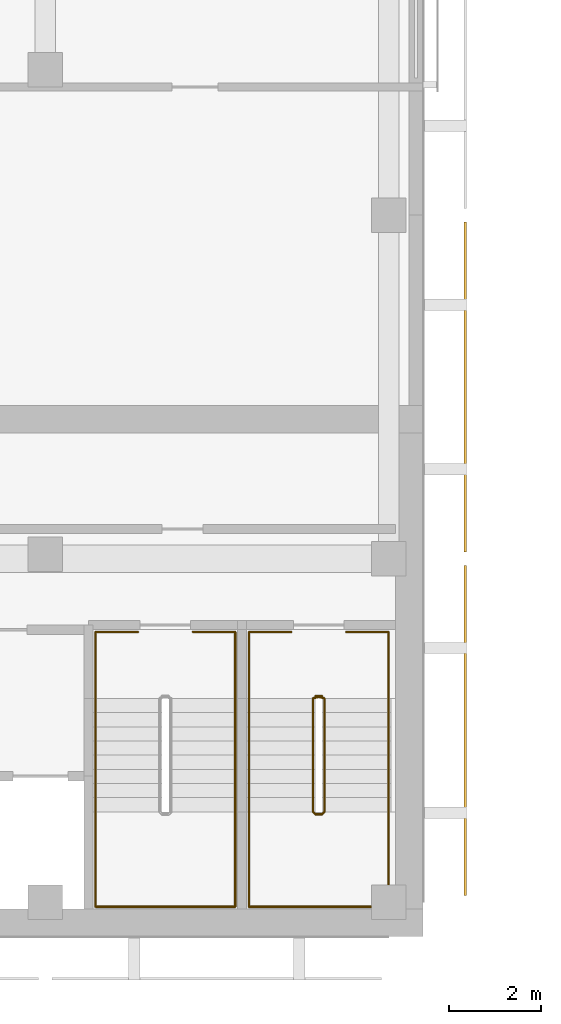
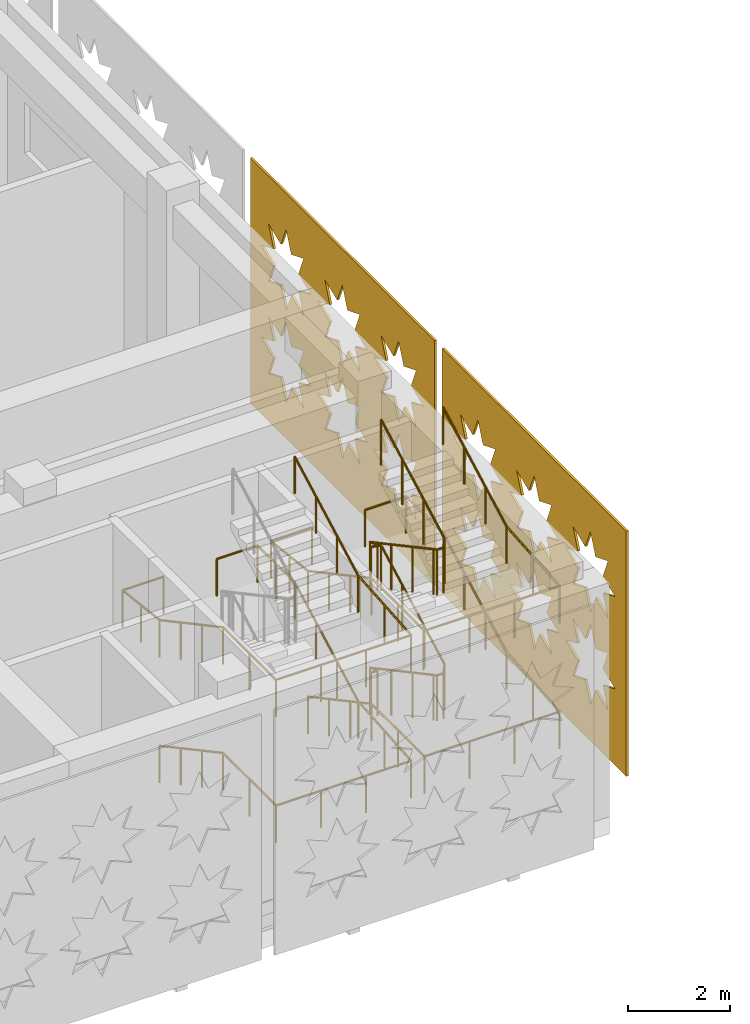
# One storey, part 31 of 46: 5 railings, 2 coverings.
"""IFC4 building model written with IfcOpenShell, lengths in metres."""

from ifc_helpers import new_model, si_unit, direction, frame, origin, origin_2d, place, context, subcontext, project, spatial, polyline, circle, outline, extrude, material, layer, layer_set, type_object, element, save


model = new_model("IFC4")

# Units and contexts
model_context = context("Model", 3, precision=1e-05, world=origin(), true_north=direction((0.0, 1.0)))
body_context = subcontext(model_context, "Body", "Model", "MODEL_VIEW")
ifc_project = project(units=[si_unit("LENGTHUNIT", "METRE"), si_unit("AREAUNIT", "SQUARE_METRE"), si_unit("VOLUMEUNIT", "CUBIC_METRE"), si_unit("PLANEANGLEUNIT", "RADIAN"), si_unit("MASSUNIT", "GRAM", prefix="KILO")], contexts=[model_context])

# Site, building, storey
site_placement = place(None, origin())
site = spatial("IfcSite", under=ifc_project, at=site_placement, CompositionType="ELEMENT")
building_placement = place(site_placement, origin())
building = spatial("IfcBuilding", under=site, at=building_placement, Name="Tessera Arch", CompositionType="ELEMENT")
storey_placement = place(building_placement, frame((0.0, 0.0, 8.0)))
storey = spatial("IfcBuildingStorey", under=building, at=storey_placement, Name="L01", CompositionType="ELEMENT", Elevation=8.0)

# Coverings
ifc_material_1 = material(Name="Anodised aluminium pale metal", Category="aluminium")
ifc_layer = layer(ifc_material_1, 0.050048828125)
ifc_layer_set = layer_set([ifc_layer], Name="Museum lattice skin panel")
covering_type = type_object("IfcCoveringType", Name="Museum lattice skin panel", PredefinedType="CLADDING", material=ifc_layer_set)
covering_1_placement = place(storey_placement, frame((14.85009765625, -31.64990234375, 5.949951171875), z_axis=(-1.0, 0.0, 0.0), x_axis=(0.0, 1.0, 0.0)))
element("IfcCovering", 1, at=covering_1_placement, inside=storey, type_object=covering_type, Name="Museum lattice skin L01 2-2", PredefinedType="CLADDING", context=body_context, shape_type="SweptSolid", body=[
    extrude(outline(polyline([(0.0, 0.0), (7.199951171875, 0.0), (7.199951171875, 5.849853515625), (0.0, 5.849853515625), (0.0, 0.0)]), holes=[polyline([(2.367919921875, 4.02490234375), (1.887939453125, 3.822998046875), (2.083984375, 3.341064453125), (1.601806640625, 3.536865234375), (1.39990234375, 3.056884765625), (1.197998046875, 3.536865234375), (0.7158203125, 3.341064453125), (0.911865234375, 3.822998046875), (0.431884765625, 4.02490234375), (0.911865234375, 4.22705078125), (0.7158203125, 4.708984375), (1.197998046875, 4.512939453125), (1.39990234375, 4.992919921875), (1.601806640625, 4.512939453125), (2.083984375, 4.708984375), (1.887939453125, 4.22705078125), (2.367919921875, 4.02490234375)]), polyline([(2.367919921875, 1.824951171875), (1.887939453125, 1.623046875), (2.083984375, 1.140869140625), (1.601806640625, 1.3369140625), (1.39990234375, 0.85693359375), (1.197998046875, 1.3369140625), (0.7158203125, 1.140869140625), (0.911865234375, 1.623046875), (0.431884765625, 1.824951171875), (0.911865234375, 2.02685546875), (0.7158203125, 2.509033203125), (1.197998046875, 2.31298828125), (1.39990234375, 2.79296875), (1.601806640625, 2.31298828125), (2.083984375, 2.509033203125), (1.887939453125, 2.02685546875), (2.367919921875, 1.824951171875)]), polyline([(4.56787109375, 4.02490234375), (4.087890625, 3.822998046875), (4.283935546875, 3.341064453125), (3.802001953125, 3.536865234375), (3.599853515625, 3.056884765625), (3.39794921875, 3.536865234375), (2.916015625, 3.341064453125), (3.11181640625, 3.822998046875), (2.6318359375, 4.02490234375), (3.11181640625, 4.22705078125), (2.916015625, 4.708984375), (3.39794921875, 4.512939453125), (3.599853515625, 4.992919921875), (3.802001953125, 4.512939453125), (4.283935546875, 4.708984375), (4.087890625, 4.22705078125), (4.56787109375, 4.02490234375)]), polyline([(4.56787109375, 1.824951171875), (4.087890625, 1.623046875), (4.283935546875, 1.140869140625), (3.802001953125, 1.3369140625), (3.599853515625, 0.85693359375), (3.39794921875, 1.3369140625), (2.916015625, 1.140869140625), (3.11181640625, 1.623046875), (2.6318359375, 1.824951171875), (3.11181640625, 2.02685546875), (2.916015625, 2.509033203125), (3.39794921875, 2.31298828125), (3.599853515625, 2.79296875), (3.802001953125, 2.31298828125), (4.283935546875, 2.509033203125), (4.087890625, 2.02685546875), (4.56787109375, 1.824951171875)]), polyline([(6.767822265625, 4.02490234375), (6.287841796875, 3.822998046875), (6.48388671875, 3.341064453125), (6.001953125, 3.536865234375), (5.7998046875, 3.056884765625), (5.597900390625, 3.536865234375), (5.115966796875, 3.341064453125), (5.31201171875, 3.822998046875), (4.831787109375, 4.02490234375), (5.31201171875, 4.22705078125), (5.115966796875, 4.708984375), (5.597900390625, 4.512939453125), (5.7998046875, 4.992919921875), (6.001953125, 4.512939453125), (6.48388671875, 4.708984375), (6.287841796875, 4.22705078125), (6.767822265625, 4.02490234375)]), polyline([(6.767822265625, 1.824951171875), (6.287841796875, 1.623046875), (6.48388671875, 1.140869140625), (6.001953125, 1.3369140625), (5.7998046875, 0.85693359375), (5.597900390625, 1.3369140625), (5.115966796875, 1.140869140625), (5.31201171875, 1.623046875), (4.831787109375, 1.824951171875), (5.31201171875, 2.02685546875), (5.115966796875, 2.509033203125), (5.597900390625, 2.31298828125), (5.7998046875, 2.79296875), (6.001953125, 2.31298828125), (6.48388671875, 2.509033203125), (6.287841796875, 2.02685546875), (6.767822265625, 1.824951171875)])]), origin(), (0.0, 0.0, -1.0), 0.050048828125),
])
covering_2_placement = place(storey_placement, frame((14.85009765625, -24.14990234375, 5.949951171875), z_axis=(-1.0, 0.0, 0.0), x_axis=(0.0, 1.0, 0.0)))
element("IfcCovering", 2, at=covering_2_placement, inside=storey, type_object=covering_type, Name="Museum lattice skin L01 2-3", PredefinedType="CLADDING", context=body_context, shape_type="SweptSolid", body=[
    extrude(outline(polyline([(0.0, 0.0), (7.199951171875, 0.0), (7.199951171875, 5.849853515625), (0.0, 5.849853515625), (0.0, 0.0)]), holes=[polyline([(2.367919921875, 4.02490234375), (1.887939453125, 3.822998046875), (2.083984375, 3.341064453125), (1.601806640625, 3.536865234375), (1.39990234375, 3.056884765625), (1.197998046875, 3.536865234375), (0.7158203125, 3.341064453125), (0.911865234375, 3.822998046875), (0.431884765625, 4.02490234375), (0.911865234375, 4.22705078125), (0.7158203125, 4.708984375), (1.197998046875, 4.512939453125), (1.39990234375, 4.992919921875), (1.601806640625, 4.512939453125), (2.083984375, 4.708984375), (1.887939453125, 4.22705078125), (2.367919921875, 4.02490234375)]), polyline([(2.367919921875, 1.824951171875), (1.887939453125, 1.623046875), (2.083984375, 1.140869140625), (1.601806640625, 1.3369140625), (1.39990234375, 0.85693359375), (1.197998046875, 1.3369140625), (0.7158203125, 1.140869140625), (0.911865234375, 1.623046875), (0.431884765625, 1.824951171875), (0.911865234375, 2.02685546875), (0.7158203125, 2.509033203125), (1.197998046875, 2.31298828125), (1.39990234375, 2.79296875), (1.601806640625, 2.31298828125), (2.083984375, 2.509033203125), (1.887939453125, 2.02685546875), (2.367919921875, 1.824951171875)]), polyline([(4.56787109375, 4.02490234375), (4.087890625, 3.822998046875), (4.283935546875, 3.341064453125), (3.802001953125, 3.536865234375), (3.599853515625, 3.056884765625), (3.39794921875, 3.536865234375), (2.916015625, 3.341064453125), (3.11181640625, 3.822998046875), (2.6318359375, 4.02490234375), (3.11181640625, 4.22705078125), (2.916015625, 4.708984375), (3.39794921875, 4.512939453125), (3.599853515625, 4.992919921875), (3.802001953125, 4.512939453125), (4.283935546875, 4.708984375), (4.087890625, 4.22705078125), (4.56787109375, 4.02490234375)]), polyline([(4.56787109375, 1.824951171875), (4.087890625, 1.623046875), (4.283935546875, 1.140869140625), (3.802001953125, 1.3369140625), (3.599853515625, 0.85693359375), (3.39794921875, 1.3369140625), (2.916015625, 1.140869140625), (3.11181640625, 1.623046875), (2.6318359375, 1.824951171875), (3.11181640625, 2.02685546875), (2.916015625, 2.509033203125), (3.39794921875, 2.31298828125), (3.599853515625, 2.79296875), (3.802001953125, 2.31298828125), (4.283935546875, 2.509033203125), (4.087890625, 2.02685546875), (4.56787109375, 1.824951171875)]), polyline([(6.767822265625, 4.02490234375), (6.287841796875, 3.822998046875), (6.48388671875, 3.341064453125), (6.001953125, 3.536865234375), (5.7998046875, 3.056884765625), (5.597900390625, 3.536865234375), (5.115966796875, 3.341064453125), (5.31201171875, 3.822998046875), (4.831787109375, 4.02490234375), (5.31201171875, 4.22705078125), (5.115966796875, 4.708984375), (5.597900390625, 4.512939453125), (5.7998046875, 4.992919921875), (6.001953125, 4.512939453125), (6.48388671875, 4.708984375), (6.287841796875, 4.22705078125), (6.767822265625, 4.02490234375)]), polyline([(6.767822265625, 1.824951171875), (6.287841796875, 1.623046875), (6.48388671875, 1.140869140625), (6.001953125, 1.3369140625), (5.7998046875, 0.85693359375), (5.597900390625, 1.3369140625), (5.115966796875, 1.140869140625), (5.31201171875, 1.623046875), (4.831787109375, 1.824951171875), (5.31201171875, 2.02685546875), (5.115966796875, 2.509033203125), (5.597900390625, 2.31298828125), (5.7998046875, 2.79296875), (6.001953125, 2.31298828125), (6.48388671875, 2.509033203125), (6.287841796875, 2.02685546875), (6.767822265625, 1.824951171875)])]), origin(), (0.0, 0.0, -1.0), 0.050048828125),
])

# Railings
ifc_material_2 = material(Name="Painted steel balustrade", Category="steel")
railing_type_1 = type_object("IfcRailingType", Name="Stair guard 1100", PredefinedType="GUARDRAIL", material=ifc_material_2)
railing_1_placement = place(storey_placement, frame((11.60009765625, -27.300048828125, 0.0)))
element("IfcRailing", 3, at=railing_1_placement, inside=storey, type_object=railing_type_1, Name="L01 M3a stair guard 1", PredefinedType="GUARDRAIL", context=body_context, shape_type="SweptSolid", body=[
    extrude(circle(Radius=0.02392578125, at=origin_2d()), frame((-0.00390625, 0.0, 1.076171875), z_axis=(1.0, 0.0, 0.0), x_axis=(0.0, 1.0, 0.0)), (0.0, 0.0, 1.0), 0.157958984375),
    extrude(circle(Radius=0.02392578125, at=origin_2d()), frame((0.15283203125, 0.000732421875, 1.073486328125), z_axis=(-0.754182335027, -0.188775798145, 0.628945707965), x_axis=(0.242814311512, -0.970072785993, 0.0)), (0.0, 0.0, 1.0), 0.273193359375),
    extrude(circle(Radius=0.02392578125, at=origin_2d()), frame((-0.050048828125, -0.046630859375, 1.240966796875), z_axis=(0.0, -0.880785522881, 0.473515430248), x_axis=(1.0, 0.0, 0.0)), (0.0, 0.0, 1.0), 2.82373046875),
    extrude(circle(Radius=0.02392578125, at=origin_2d()), frame((-0.052978515625, -2.527099609375, 2.576171875), z_axis=(0.708833529934, -0.705375805398, 0.0), x_axis=(0.705375805398, 0.708833529934, 0.0)), (0.0, 0.0, 1.0), 0.07861328125),
    extrude(circle(Radius=0.02392578125, at=origin_2d()), frame((-0.00390625, -2.579833984375, 2.576171875), z_axis=(1.0, 0.0, 0.0), x_axis=(0.0, 1.0, 0.0)), (0.0, 0.0, 1.0), 0.157958984375),
    extrude(circle(Radius=0.02392578125, at=origin_2d()), frame((0.148681640625, -2.5810546875, 2.572265625), z_axis=(0.276389281352, 0.275041040955, 0.920848191041), x_axis=(-0.705375805398, 0.708833529934, 0.0)), (0.0, 0.0, 1.0), 0.18896484375),
    extrude(circle(Radius=0.02392578125, at=origin_2d()), frame((0.199951171875, -2.533447265625, 2.740966796875), z_axis=(0.0, 0.880785522881, 0.473515430248), x_axis=(-1.0, 0.0, 0.0)), (0.0, 0.0, 1.0), 2.82373046875),
    extrude(circle(Radius=0.02392578125, at=origin_2d()), frame((0.203857421875, -0.051025390625, 4.076171875), z_axis=(-0.970072785993, 0.242814311512, 0.0), x_axis=(-0.242814311512, -0.970072785993, 0.0)), (0.0, 0.0, 1.0), 0.214111328125),
    extrude(circle(Radius=0.02392578125, at=origin_2d()), frame((-0.00390625, 0.0, 4.076171875), z_axis=(1.0, 0.0, 0.0), x_axis=(0.0, 1.0, 0.0)), (0.0, 0.0, 1.0), 0.157958984375),
    extrude(circle(Radius=0.02392578125, at=origin_2d()), frame((0.15283203125, 0.000732421875, 4.073486328125), z_axis=(-0.754182335027, -0.188775798145, 0.628945707965), x_axis=(0.242814311512, -0.970072785993, 0.0)), (0.0, 0.0, 1.0), 0.273193359375),
    extrude(circle(Radius=0.02392578125, at=origin_2d()), frame((-0.050048828125, -0.046630859375, 4.240966796875), z_axis=(0.0, -0.880785522881, 0.473515430248), x_axis=(1.0, 0.0, 0.0)), (0.0, 0.0, 1.0), 2.82373046875),
    extrude(circle(Radius=0.02392578125, at=origin_2d()), frame((-0.052978515625, -2.527099609375, 5.576171875), z_axis=(0.708833529934, -0.705375805398, 0.0), x_axis=(0.705375805398, 0.708833529934, 0.0)), (0.0, 0.0, 1.0), 0.07861328125),
    extrude(circle(Radius=0.02392578125, at=origin_2d()), frame((-0.00390625, -2.579833984375, 5.576171875), z_axis=(1.0, 0.0, 0.0), x_axis=(0.0, 1.0, 0.0)), (0.0, 0.0, 1.0), 0.157958984375),
    extrude(circle(Radius=0.02392578125, at=origin_2d()), frame((0.148681640625, -2.5810546875, 5.572265625), z_axis=(0.276389281352, 0.275041040955, 0.920848191041), x_axis=(-0.705375805398, 0.708833529934, 0.0)), (0.0, 0.0, 1.0), 0.18896484375),
    extrude(circle(Radius=0.02392578125, at=origin_2d()), frame((0.199951171875, -2.533447265625, 5.740966796875), z_axis=(0.0, 0.880785522881, 0.473515430248), x_axis=(-1.0, 0.0, 0.0)), (0.0, 0.0, 1.0), 2.82373046875),
    extrude(circle(Radius=0.02099609375, at=origin_2d()), origin(), (0.0, 0.0, 1.0), 1.06396484375),
    extrude(circle(Radius=0.02099609375, at=origin_2d()), frame((0.14990234375, 0.0, 0.0)), (0.0, 0.0, 1.0), 1.06396484375),
    extrude(circle(Radius=0.02099609375, at=origin_2d()), frame((-0.050048828125, -0.050048828125, 0.166748046875)), (0.0, 0.0, 1.0), 1.06396484375),
    extrude(circle(Radius=0.02099609375, at=origin_2d()), frame((-0.050048828125, -0.876708984375, 0.611083984375)), (0.0, 0.0, 1.0), 1.06396484375),
    extrude(circle(Radius=0.02099609375, at=origin_2d()), frame((-0.050048828125, -1.703369140625, 1.0556640625)), (0.0, 0.0, 1.0), 1.06396484375),
    extrude(circle(Radius=0.02099609375, at=origin_2d()), frame((-0.050048828125, -2.530029296875, 1.5)), (0.0, 0.0, 1.0), 1.06396484375),
    extrude(circle(Radius=0.02099609375, at=origin_2d()), frame((0.0, -2.579833984375, 1.5)), (0.0, 0.0, 1.0), 1.06396484375),
    extrude(circle(Radius=0.02099609375, at=origin_2d()), frame((0.14990234375, -2.579833984375, 1.5)), (0.0, 0.0, 1.0), 1.06396484375),
    extrude(circle(Radius=0.02099609375, at=origin_2d()), frame((0.199951171875, -2.530029296875, 1.666748046875)), (0.0, 0.0, 1.0), 1.06396484375),
    extrude(circle(Radius=0.02099609375, at=origin_2d()), frame((0.199951171875, -1.703369140625, 2.111083984375)), (0.0, 0.0, 1.0), 1.06396484375),
    extrude(circle(Radius=0.02099609375, at=origin_2d()), frame((0.199951171875, -0.876708984375, 2.5556640625)), (0.0, 0.0, 1.0), 1.06396484375),
    extrude(circle(Radius=0.02099609375, at=origin_2d()), frame((0.199951171875, -0.050048828125, 3.0)), (0.0, 0.0, 1.0), 1.06396484375),
    extrude(circle(Radius=0.02099609375, at=origin_2d()), frame((0.0, 0.0, 3.0)), (0.0, 0.0, 1.0), 1.06396484375),
    extrude(circle(Radius=0.02099609375, at=origin_2d()), frame((0.14990234375, 0.0, 3.0)), (0.0, 0.0, 1.0), 1.06396484375),
    extrude(circle(Radius=0.02099609375, at=origin_2d()), frame((-0.050048828125, -0.050048828125, 3.166748046875)), (0.0, 0.0, 1.0), 1.06396484375),
    extrude(circle(Radius=0.02099609375, at=origin_2d()), frame((-0.050048828125, -0.876708984375, 3.611083984375)), (0.0, 0.0, 1.0), 1.06396484375),
    extrude(circle(Radius=0.02099609375, at=origin_2d()), frame((-0.050048828125, -1.703369140625, 4.0556640625)), (0.0, 0.0, 1.0), 1.06396484375),
    extrude(circle(Radius=0.02099609375, at=origin_2d()), frame((-0.050048828125, -2.530029296875, 4.5)), (0.0, 0.0, 1.0), 1.06396484375),
    extrude(circle(Radius=0.02099609375, at=origin_2d()), frame((0.0, -2.579833984375, 4.5)), (0.0, 0.0, 1.0), 1.06396484375),
    extrude(circle(Radius=0.02099609375, at=origin_2d()), frame((0.14990234375, -2.579833984375, 4.5)), (0.0, 0.0, 1.0), 1.06396484375),
    extrude(circle(Radius=0.02099609375, at=origin_2d()), frame((0.199951171875, -2.530029296875, 4.666748046875)), (0.0, 0.0, 1.0), 1.06396484375),
    extrude(circle(Radius=0.02099609375, at=origin_2d()), frame((0.199951171875, -1.703369140625, 5.111083984375)), (0.0, 0.0, 1.0), 1.06396484375),
    extrude(circle(Radius=0.02099609375, at=origin_2d()), frame((0.199951171875, -0.876708984375, 5.5556640625)), (0.0, 0.0, 1.0), 1.06396484375),
    extrude(circle(Radius=0.02099609375, at=origin_2d()), frame((0.199951171875, -0.050048828125, 6.0)), (0.0, 0.0, 1.0), 1.06396484375),
])
ifc_material_3 = material(Name="Painted steel handrail", Category="steel")
railing_type_2 = type_object("IfcRailingType", Name="Stair handrail 900", PredefinedType="HANDRAIL", material=ifc_material_3)
railing_2_placement = place(storey_placement, frame((10.14990234375, -27.35009765625, 0.166748046875)))
element("IfcRailing", 4, at=railing_2_placement, inside=storey, type_object=railing_type_2, Name="L01 M3a stair handrail", PredefinedType="HANDRAIL", context=body_context, shape_type="SweptSolid", body=[
    extrude(circle(Radius=0.02392578125, at=origin_2d()), frame((0.0, 0.00341796875, 0.8740234375), z_axis=(0.0, -0.880785522881, 0.473515430248), x_axis=(1.0, 0.0, 0.0)), (0.0, 0.0, 1.0), 2.82373046875),
    extrude(circle(Radius=0.02392578125, at=origin_2d()), frame((0.0, -2.47607421875, 2.208984375), z_axis=(0.0, -1.0, 0.0), x_axis=(1.0, 0.0, 0.0)), (0.0, 0.0, 1.0), 2.077880859375),
    extrude(circle(Radius=0.02392578125, at=origin_2d()), frame((-0.00390625, -4.5498046875, 2.208984375), z_axis=(1.0, 0.0, 0.0), x_axis=(0.0, 1.0, 0.0)), (0.0, 0.0, 1.0), 3.05810546875),
    extrude(circle(Radius=0.02392578125, at=origin_2d()), frame((3.050048828125, -4.5537109375, 2.208740234375), z_axis=(0.0, 0.99677063694, 0.080301290992), x_axis=(-1.0, 0.0, 0.0)), (0.0, 0.0, 1.0), 2.08447265625),
    extrude(circle(Radius=0.02392578125, at=origin_2d()), frame((3.050048828125, -2.4833984375, 2.3740234375), z_axis=(0.0, 0.880785522881, 0.473515430248), x_axis=(-1.0, 0.0, 0.0)), (0.0, 0.0, 1.0), 2.82373046875),
    extrude(circle(Radius=0.02392578125, at=origin_2d()), frame((3.050048828125, -0.00390625, 3.708984375), z_axis=(0.0, 1.0, 0.0), x_axis=(-1.0, 0.0, 0.0)), (0.0, 0.0, 1.0), 1.458251953125),
    extrude(circle(Radius=0.02392578125, at=origin_2d()), frame((3.053955078125, 1.4501953125, 3.708984375), z_axis=(-1.0, 0.0, 0.0), x_axis=(0.0, -1.0, 0.0)), (0.0, 0.0, 1.0), 0.93310546875),
    extrude(circle(Radius=0.02099609375, at=origin_2d()), origin(), (0.0, 0.0, 1.0), 0.86376953125),
    extrude(circle(Radius=0.02099609375, at=origin_2d()), frame((0.0, -0.82666015625, 0.4443359375)), (0.0, 0.0, 1.0), 0.86376953125),
    extrude(circle(Radius=0.02099609375, at=origin_2d()), frame((0.0, -1.6533203125, 0.888916015625)), (0.0, 0.0, 1.0), 0.86376953125),
    extrude(circle(Radius=0.02099609375, at=origin_2d()), frame((0.0, -2.47998046875, 1.333251953125)), (0.0, 0.0, 1.0), 0.86376953125),
    extrude(circle(Radius=0.02099609375, at=origin_2d()), frame((0.0, -3.514892578125, 1.333251953125)), (0.0, 0.0, 1.0), 0.86376953125),
    extrude(circle(Radius=0.02099609375, at=origin_2d()), frame((0.0, -4.5498046875, 1.333251953125)), (0.0, 0.0, 1.0), 0.86376953125),
    extrude(circle(Radius=0.02099609375, at=origin_2d()), frame((1.0166015625, -4.5498046875, 1.333251953125)), (0.0, 0.0, 1.0), 0.86376953125),
    extrude(circle(Radius=0.02099609375, at=origin_2d()), frame((2.033447265625, -4.5498046875, 1.333251953125)), (0.0, 0.0, 1.0), 0.86376953125),
    extrude(circle(Radius=0.02099609375, at=origin_2d()), frame((3.050048828125, -4.5498046875, 1.333251953125)), (0.0, 0.0, 1.0), 0.86376953125),
    extrude(circle(Radius=0.02099609375, at=origin_2d()), frame((3.050048828125, -3.514892578125, 1.41650390625)), (0.0, 0.0, 1.0), 0.86376953125),
    extrude(circle(Radius=0.02099609375, at=origin_2d()), frame((3.050048828125, -2.47998046875, 1.5)), (0.0, 0.0, 1.0), 0.86376953125),
    extrude(circle(Radius=0.02099609375, at=origin_2d()), frame((3.050048828125, -1.6533203125, 1.9443359375)), (0.0, 0.0, 1.0), 0.86376953125),
    extrude(circle(Radius=0.02099609375, at=origin_2d()), frame((3.050048828125, -0.82666015625, 2.388916015625)), (0.0, 0.0, 1.0), 0.86376953125),
    extrude(circle(Radius=0.02099609375, at=origin_2d()), frame((3.050048828125, 0.0, 2.833251953125)), (0.0, 0.0, 1.0), 0.86376953125),
    extrude(circle(Radius=0.02099609375, at=origin_2d()), frame((3.050048828125, 0.72509765625, 2.833251953125)), (0.0, 0.0, 1.0), 0.86376953125),
    extrude(circle(Radius=0.02099609375, at=origin_2d()), frame((3.050048828125, 1.4501953125, 2.833251953125)), (0.0, 0.0, 1.0), 0.86376953125),
    extrude(circle(Radius=0.02099609375, at=origin_2d()), frame((2.125, 1.4501953125, 2.833251953125)), (0.0, 0.0, 1.0), 0.86376953125),
])
railing_3_placement = place(storey_placement, frame((11.074951171875, -25.89990234375, 3.0)))
element("IfcRailing", 5, at=railing_3_placement, inside=storey, type_object=railing_type_2, Name="L01 M3a stair handrail 2", PredefinedType="HANDRAIL", context=body_context, shape_type="SweptSolid", body=[
    extrude(circle(Radius=0.02392578125, at=origin_2d()), frame((0.00390625, 0.0, 0.8759765625), z_axis=(-1.0, 0.0, 0.0), x_axis=(0.0, -1.0, 0.0)), (0.0, 0.0, 1.0), 0.93310546875),
    extrude(circle(Radius=0.02392578125, at=origin_2d()), frame((-0.925048828125, 0.00390625, 0.87548828125), z_axis=(0.0, -0.993454271282, 0.114230516378), x_axis=(1.0, 0.0, 0.0)), (0.0, 0.0, 1.0), 1.4677734375),
    extrude(circle(Radius=0.02392578125, at=origin_2d()), frame((-0.925048828125, -1.44677734375, 1.040771484375), z_axis=(0.0, -0.880785522881, 0.473515430248), x_axis=(1.0, 0.0, 0.0)), (0.0, 0.0, 1.0), 2.82373046875),
    extrude(circle(Radius=0.02392578125, at=origin_2d()), frame((-0.925048828125, -3.92626953125, 2.3759765625), z_axis=(0.0, -1.0, 0.0), x_axis=(1.0, 0.0, 0.0)), (0.0, 0.0, 1.0), 2.077880859375),
    extrude(circle(Radius=0.02392578125, at=origin_2d()), frame((-0.928955078125, -6.0, 2.3759765625), z_axis=(1.0, 0.0, 0.0), x_axis=(0.0, 1.0, 0.0)), (0.0, 0.0, 1.0), 3.05810546875),
    extrude(circle(Radius=0.02392578125, at=origin_2d()), frame((2.125, -6.00390625, 2.37548828125), z_axis=(0.0, 0.99677063694, 0.080301290992), x_axis=(-1.0, 0.0, 0.0)), (0.0, 0.0, 1.0), 2.08447265625),
    extrude(circle(Radius=0.02392578125, at=origin_2d()), frame((2.125, -3.93359375, 2.540771484375), z_axis=(0.0, 0.880785522881, 0.473515430248), x_axis=(-1.0, 0.0, 0.0)), (0.0, 0.0, 1.0), 2.82373046875),
    extrude(circle(Radius=0.02099609375, at=origin_2d()), origin(), (0.0, 0.0, 1.0), 0.86376953125),
    extrude(circle(Radius=0.02099609375, at=origin_2d()), frame((-0.925048828125, 0.0, 0.0)), (0.0, 0.0, 1.0), 0.86376953125),
    extrude(circle(Radius=0.02099609375, at=origin_2d()), frame((-0.925048828125, -0.72509765625, 0.08349609375)), (0.0, 0.0, 1.0), 0.86376953125),
    extrude(circle(Radius=0.02099609375, at=origin_2d()), frame((-0.925048828125, -1.4501953125, 0.166748046875)), (0.0, 0.0, 1.0), 0.86376953125),
    extrude(circle(Radius=0.02099609375, at=origin_2d()), frame((-0.925048828125, -2.27685546875, 0.611083984375)), (0.0, 0.0, 1.0), 0.86376953125),
    extrude(circle(Radius=0.02099609375, at=origin_2d()), frame((-0.925048828125, -3.103515625, 1.0556640625)), (0.0, 0.0, 1.0), 0.86376953125),
    extrude(circle(Radius=0.02099609375, at=origin_2d()), frame((-0.925048828125, -3.93017578125, 1.5)), (0.0, 0.0, 1.0), 0.86376953125),
    extrude(circle(Radius=0.02099609375, at=origin_2d()), frame((-0.925048828125, -4.965087890625, 1.5)), (0.0, 0.0, 1.0), 0.86376953125),
    extrude(circle(Radius=0.02099609375, at=origin_2d()), frame((-0.925048828125, -6.0, 1.5)), (0.0, 0.0, 1.0), 0.86376953125),
    extrude(circle(Radius=0.02099609375, at=origin_2d()), frame((0.091552734375, -6.0, 1.5)), (0.0, 0.0, 1.0), 0.86376953125),
    extrude(circle(Radius=0.02099609375, at=origin_2d()), frame((1.1083984375, -6.0, 1.5)), (0.0, 0.0, 1.0), 0.86376953125),
    extrude(circle(Radius=0.02099609375, at=origin_2d()), frame((2.125, -6.0, 1.5)), (0.0, 0.0, 1.0), 0.86376953125),
    extrude(circle(Radius=0.02099609375, at=origin_2d()), frame((2.125, -4.965087890625, 1.58349609375)), (0.0, 0.0, 1.0), 0.86376953125),
    extrude(circle(Radius=0.02099609375, at=origin_2d()), frame((2.125, -3.93017578125, 1.666748046875)), (0.0, 0.0, 1.0), 0.86376953125),
    extrude(circle(Radius=0.02099609375, at=origin_2d()), frame((2.125, -3.103515625, 2.111083984375)), (0.0, 0.0, 1.0), 0.86376953125),
    extrude(circle(Radius=0.02099609375, at=origin_2d()), frame((2.125, -2.27685546875, 2.5556640625)), (0.0, 0.0, 1.0), 0.86376953125),
    extrude(circle(Radius=0.02099609375, at=origin_2d()), frame((2.125, -1.4501953125, 3.0)), (0.0, 0.0, 1.0), 0.86376953125),
])
railing_4_placement = place(storey_placement, frame((6.800048828125, -27.35009765625, 0.166748046875)))
element("IfcRailing", 6, at=railing_4_placement, inside=storey, type_object=railing_type_2, Name="L01 M3b stair handrail", PredefinedType="HANDRAIL", context=body_context, shape_type="SweptSolid", body=[
    extrude(circle(Radius=0.02392578125, at=origin_2d()), frame((0.0, 0.00341796875, 0.8740234375), z_axis=(0.0, -0.880785522881, 0.473515430248), x_axis=(1.0, 0.0, 0.0)), (0.0, 0.0, 1.0), 2.82373046875),
    extrude(circle(Radius=0.02392578125, at=origin_2d()), frame((0.0, -2.47607421875, 2.208984375), z_axis=(0.0, -1.0, 0.0), x_axis=(1.0, 0.0, 0.0)), (0.0, 0.0, 1.0), 2.077880859375),
    extrude(circle(Radius=0.02392578125, at=origin_2d()), frame((-0.00390625, -4.5498046875, 2.208984375), z_axis=(1.0, 0.0, 0.0), x_axis=(0.0, 1.0, 0.0)), (0.0, 0.0, 1.0), 3.05810546875),
    extrude(circle(Radius=0.02392578125, at=origin_2d()), frame((3.050048828125, -4.5537109375, 2.208740234375), z_axis=(0.0, 0.99677063694, 0.080301290992), x_axis=(-1.0, 0.0, 0.0)), (0.0, 0.0, 1.0), 2.08447265625),
    extrude(circle(Radius=0.02392578125, at=origin_2d()), frame((3.050048828125, -2.4833984375, 2.3740234375), z_axis=(0.0, 0.880785522881, 0.473515430248), x_axis=(-1.0, 0.0, 0.0)), (0.0, 0.0, 1.0), 2.82373046875),
    extrude(circle(Radius=0.02392578125, at=origin_2d()), frame((3.050048828125, -0.00390625, 3.708984375), z_axis=(0.0, 1.0, 0.0), x_axis=(-1.0, 0.0, 0.0)), (0.0, 0.0, 1.0), 1.458251953125),
    extrude(circle(Radius=0.02392578125, at=origin_2d()), frame((3.053955078125, 1.4501953125, 3.708984375), z_axis=(-1.0, 0.0, 0.0), x_axis=(0.0, -1.0, 0.0)), (0.0, 0.0, 1.0), 0.93310546875),
    extrude(circle(Radius=0.02099609375, at=origin_2d()), origin(), (0.0, 0.0, 1.0), 0.86376953125),
    extrude(circle(Radius=0.02099609375, at=origin_2d()), frame((0.0, -0.82666015625, 0.4443359375)), (0.0, 0.0, 1.0), 0.86376953125),
    extrude(circle(Radius=0.02099609375, at=origin_2d()), frame((0.0, -1.6533203125, 0.888916015625)), (0.0, 0.0, 1.0), 0.86376953125),
    extrude(circle(Radius=0.02099609375, at=origin_2d()), frame((0.0, -2.47998046875, 1.333251953125)), (0.0, 0.0, 1.0), 0.86376953125),
    extrude(circle(Radius=0.02099609375, at=origin_2d()), frame((0.0, -3.514892578125, 1.333251953125)), (0.0, 0.0, 1.0), 0.86376953125),
    extrude(circle(Radius=0.02099609375, at=origin_2d()), frame((0.0, -4.5498046875, 1.333251953125)), (0.0, 0.0, 1.0), 0.86376953125),
    extrude(circle(Radius=0.02099609375, at=origin_2d()), frame((1.0166015625, -4.5498046875, 1.333251953125)), (0.0, 0.0, 1.0), 0.86376953125),
    extrude(circle(Radius=0.02099609375, at=origin_2d()), frame((2.033447265625, -4.5498046875, 1.333251953125)), (0.0, 0.0, 1.0), 0.86376953125),
    extrude(circle(Radius=0.02099609375, at=origin_2d()), frame((3.050048828125, -4.5498046875, 1.333251953125)), (0.0, 0.0, 1.0), 0.86376953125),
    extrude(circle(Radius=0.02099609375, at=origin_2d()), frame((3.050048828125, -3.514892578125, 1.41650390625)), (0.0, 0.0, 1.0), 0.86376953125),
    extrude(circle(Radius=0.02099609375, at=origin_2d()), frame((3.050048828125, -2.47998046875, 1.5)), (0.0, 0.0, 1.0), 0.86376953125),
    extrude(circle(Radius=0.02099609375, at=origin_2d()), frame((3.050048828125, -1.6533203125, 1.9443359375)), (0.0, 0.0, 1.0), 0.86376953125),
    extrude(circle(Radius=0.02099609375, at=origin_2d()), frame((3.050048828125, -0.82666015625, 2.388916015625)), (0.0, 0.0, 1.0), 0.86376953125),
    extrude(circle(Radius=0.02099609375, at=origin_2d()), frame((3.050048828125, 0.0, 2.833251953125)), (0.0, 0.0, 1.0), 0.86376953125),
    extrude(circle(Radius=0.02099609375, at=origin_2d()), frame((3.050048828125, 0.72509765625, 2.833251953125)), (0.0, 0.0, 1.0), 0.86376953125),
    extrude(circle(Radius=0.02099609375, at=origin_2d()), frame((3.050048828125, 1.4501953125, 2.833251953125)), (0.0, 0.0, 1.0), 0.86376953125),
    extrude(circle(Radius=0.02099609375, at=origin_2d()), frame((2.125, 1.4501953125, 2.833251953125)), (0.0, 0.0, 1.0), 0.86376953125),
])
railing_5_placement = place(storey_placement, frame((7.72509765625, -25.89990234375, 3.0)))
element("IfcRailing", 7, at=railing_5_placement, inside=storey, type_object=railing_type_2, Name="L01 M3b stair handrail 2", PredefinedType="HANDRAIL", context=body_context, shape_type="SweptSolid", body=[
    extrude(circle(Radius=0.02392578125, at=origin_2d()), frame((0.00390625, 0.0, 0.8759765625), z_axis=(-1.0, 0.0, 0.0), x_axis=(0.0, -1.0, 0.0)), (0.0, 0.0, 1.0), 0.93310546875),
    extrude(circle(Radius=0.02392578125, at=origin_2d()), frame((-0.925048828125, 0.00390625, 0.87548828125), z_axis=(0.0, -0.993454271282, 0.114230516378), x_axis=(1.0, 0.0, 0.0)), (0.0, 0.0, 1.0), 1.4677734375),
    extrude(circle(Radius=0.02392578125, at=origin_2d()), frame((-0.925048828125, -1.44677734375, 1.040771484375), z_axis=(0.0, -0.880785522881, 0.473515430248), x_axis=(1.0, 0.0, 0.0)), (0.0, 0.0, 1.0), 2.82373046875),
    extrude(circle(Radius=0.02392578125, at=origin_2d()), frame((-0.925048828125, -3.92626953125, 2.3759765625), z_axis=(0.0, -1.0, 0.0), x_axis=(1.0, 0.0, 0.0)), (0.0, 0.0, 1.0), 2.077880859375),
    extrude(circle(Radius=0.02392578125, at=origin_2d()), frame((-0.928955078125, -6.0, 2.3759765625), z_axis=(1.0, 0.0, 0.0), x_axis=(0.0, 1.0, 0.0)), (0.0, 0.0, 1.0), 3.05810546875),
    extrude(circle(Radius=0.02392578125, at=origin_2d()), frame((2.125, -6.00390625, 2.37548828125), z_axis=(0.0, 0.99677063694, 0.080301290992), x_axis=(-1.0, 0.0, 0.0)), (0.0, 0.0, 1.0), 2.08447265625),
    extrude(circle(Radius=0.02392578125, at=origin_2d()), frame((2.125, -3.93359375, 2.540771484375), z_axis=(0.0, 0.880785522881, 0.473515430248), x_axis=(-1.0, 0.0, 0.0)), (0.0, 0.0, 1.0), 2.82373046875),
    extrude(circle(Radius=0.02099609375, at=origin_2d()), origin(), (0.0, 0.0, 1.0), 0.86376953125),
    extrude(circle(Radius=0.02099609375, at=origin_2d()), frame((-0.925048828125, 0.0, 0.0)), (0.0, 0.0, 1.0), 0.86376953125),
    extrude(circle(Radius=0.02099609375, at=origin_2d()), frame((-0.925048828125, -0.72509765625, 0.08349609375)), (0.0, 0.0, 1.0), 0.86376953125),
    extrude(circle(Radius=0.02099609375, at=origin_2d()), frame((-0.925048828125, -1.4501953125, 0.166748046875)), (0.0, 0.0, 1.0), 0.86376953125),
    extrude(circle(Radius=0.02099609375, at=origin_2d()), frame((-0.925048828125, -2.27685546875, 0.611083984375)), (0.0, 0.0, 1.0), 0.86376953125),
    extrude(circle(Radius=0.02099609375, at=origin_2d()), frame((-0.925048828125, -3.103515625, 1.0556640625)), (0.0, 0.0, 1.0), 0.86376953125),
    extrude(circle(Radius=0.02099609375, at=origin_2d()), frame((-0.925048828125, -3.93017578125, 1.5)), (0.0, 0.0, 1.0), 0.86376953125),
    extrude(circle(Radius=0.02099609375, at=origin_2d()), frame((-0.925048828125, -4.965087890625, 1.5)), (0.0, 0.0, 1.0), 0.86376953125),
    extrude(circle(Radius=0.02099609375, at=origin_2d()), frame((-0.925048828125, -6.0, 1.5)), (0.0, 0.0, 1.0), 0.86376953125),
    extrude(circle(Radius=0.02099609375, at=origin_2d()), frame((0.091552734375, -6.0, 1.5)), (0.0, 0.0, 1.0), 0.86376953125),
    extrude(circle(Radius=0.02099609375, at=origin_2d()), frame((1.1083984375, -6.0, 1.5)), (0.0, 0.0, 1.0), 0.86376953125),
    extrude(circle(Radius=0.02099609375, at=origin_2d()), frame((2.125, -6.0, 1.5)), (0.0, 0.0, 1.0), 0.86376953125),
    extrude(circle(Radius=0.02099609375, at=origin_2d()), frame((2.125, -4.965087890625, 1.58349609375)), (0.0, 0.0, 1.0), 0.86376953125),
    extrude(circle(Radius=0.02099609375, at=origin_2d()), frame((2.125, -3.93017578125, 1.666748046875)), (0.0, 0.0, 1.0), 0.86376953125),
    extrude(circle(Radius=0.02099609375, at=origin_2d()), frame((2.125, -3.103515625, 2.111083984375)), (0.0, 0.0, 1.0), 0.86376953125),
    extrude(circle(Radius=0.02099609375, at=origin_2d()), frame((2.125, -2.27685546875, 2.5556640625)), (0.0, 0.0, 1.0), 0.86376953125),
    extrude(circle(Radius=0.02099609375, at=origin_2d()), frame((2.125, -1.4501953125, 3.0)), (0.0, 0.0, 1.0), 0.86376953125),
])

save(model, "model.ifc")
